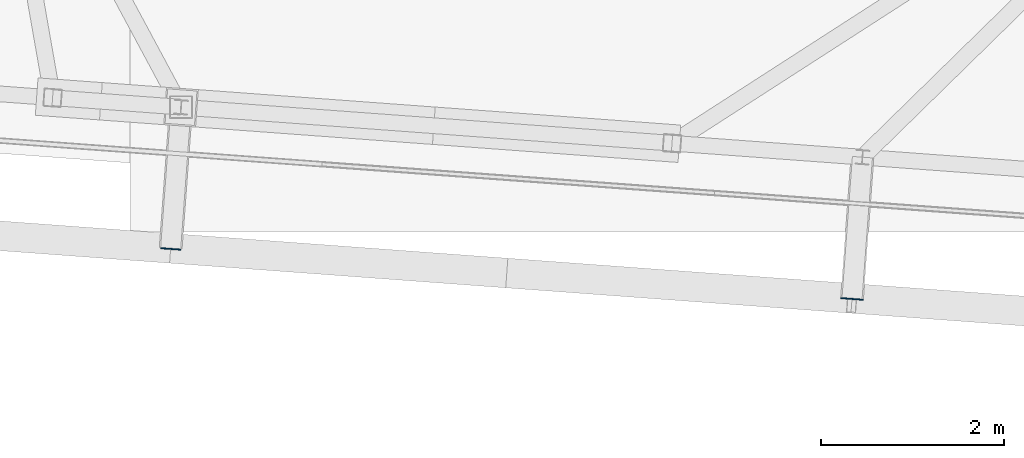
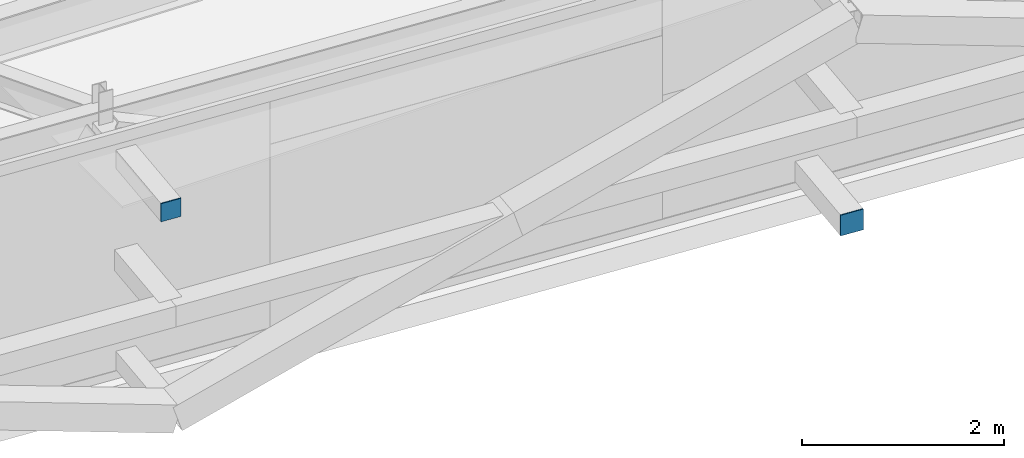
# One storey, part 25 of 35: 2 plates.
"""IFC4 building model written with IfcOpenShell, lengths in metres."""

from ifc_helpers import new_model, si_unit, direction, frame, origin, origin_2d, place, context, subcontext, project, spatial, rectangle, extrude, source, transform, mapped, material, layer, layer_set, type_object, element, save


model = new_model("IFC4")

# Units and contexts
model_context = context("Model", 3, precision=1e-05, world=origin(), true_north=direction((0.0, 1.0)))
body_context = subcontext(model_context, "Body", "Model", "MODEL_VIEW")
ifc_project = project(units=[si_unit("LENGTHUNIT", "METRE"), si_unit("AREAUNIT", "SQUARE_METRE"), si_unit("VOLUMEUNIT", "CUBIC_METRE"), si_unit("PLANEANGLEUNIT", "RADIAN"), si_unit("MASSUNIT", "GRAM", prefix="KILO")], contexts=[model_context])

# Site, building, storey
site_placement = place(None, origin())
site = spatial("IfcSite", under=ifc_project, at=site_placement, CompositionType="ELEMENT")
building_placement = place(site_placement, origin())
building = spatial("IfcBuilding", under=site, at=building_placement, Name="Taldren Reach Tower", CompositionType="ELEMENT")
storey_placement = place(building_placement, frame((0.0, 0.0, 236.60009765625)))
storey = spatial("IfcBuildingStorey", under=building, at=storey_placement, Name="L72", CompositionType="ELEMENT", Elevation=236.60009765625)

# Plates
ifc_material_1 = material(Name="Steel Gr 350 (C350L0)", Category="steel")
ifc_layer_1 = layer(ifc_material_1, 0.011962890625)
ifc_layer_set_1 = layer_set([ifc_layer_1], Name="Steel Gr 350 (C350L0)")
plate_type_1 = type_object("IfcPlateType", Name="PL-CAP-250", PredefinedType="SHEET", material=ifc_layer_set_1)
shared_shape_1 = source(origin(), body_context, "Body", "SweptSolid", [
    extrude(rectangle(XDim=0.25, YDim=0.011962890625, at=origin_2d()), origin(), (0.0, 0.0, 1.0), 0.25),
])
plate_1_placement = place(storey_placement, frame((37.406494140625, 3.264892578125, 0.094970703125), z_axis=(0.0, 0.0, 1.0), x_axis=(0.997314477224, -0.073238197128, 0.0)))
element("IfcPlate", 1, at=plate_1_placement, inside=storey, type_object=plate_type_1, Name="Tie strut end cap plate B5-S4 L72", PredefinedType="SHEET", context=body_context, shape_type="MappedRepresentation", body=[
    mapped(shared_shape_1, transform((0.0, 0.0, 0.0), scale=1.0)),
])
ifc_material_2 = material(Name="Steel Gr 450 (C450L0)", Category="steel")
ifc_layer_2 = layer(ifc_material_2, 0.011962890625)
ifc_layer_set_2 = layer_set([ifc_layer_2], Name="Steel Gr 450 (C450L0)")
plate_type_2 = type_object("IfcPlateType", Name="PL-CAP-220", PredefinedType="SHEET", material=ifc_layer_set_2)
shared_shape_2 = source(origin(), body_context, "Body", "SweptSolid", [
    extrude(rectangle(XDim=0.219970703125, YDim=0.011962890625, at=origin_2d()), origin(), (0.0, 0.0, 1.0), 0.219970703125),
])
plate_2_placement = place(storey_placement, frame((29.946533203125, 3.812744140625, 2.5400390625), z_axis=(0.0, 0.0, 1.0), x_axis=(0.997314477224, -0.073238197128, 0.0)))
element("IfcPlate", 2, at=plate_2_placement, inside=storey, type_object=plate_type_2, Name="Tie strut end cap plate B5-S3 L72", PredefinedType="SHEET", context=body_context, shape_type="MappedRepresentation", body=[
    mapped(shared_shape_2, transform((0.0, 0.0, 0.0), scale=1.0)),
])

save(model, "model.ifc")
